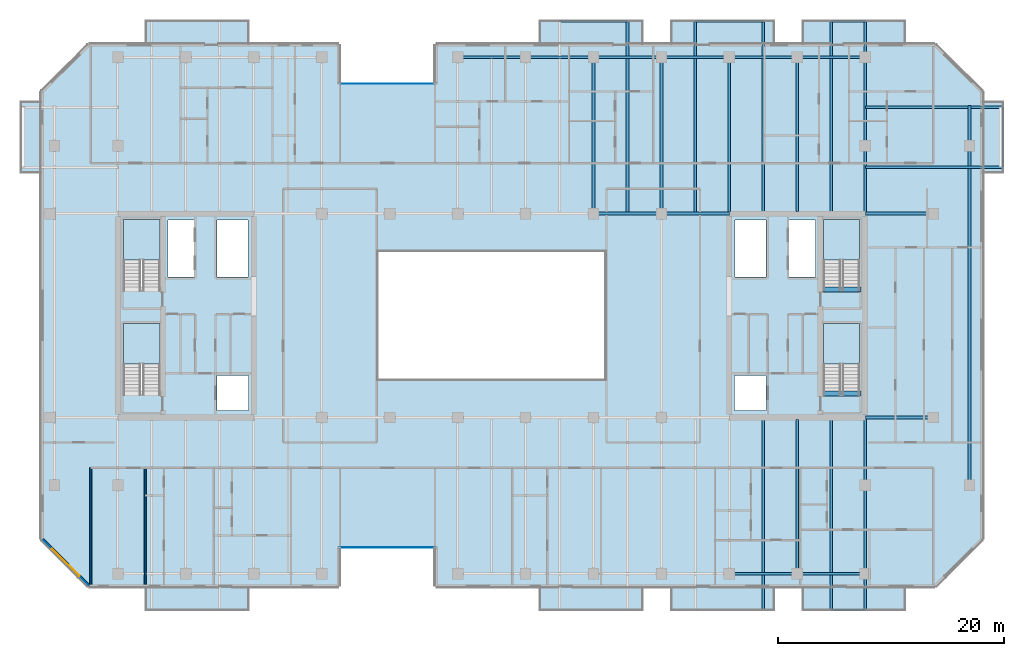
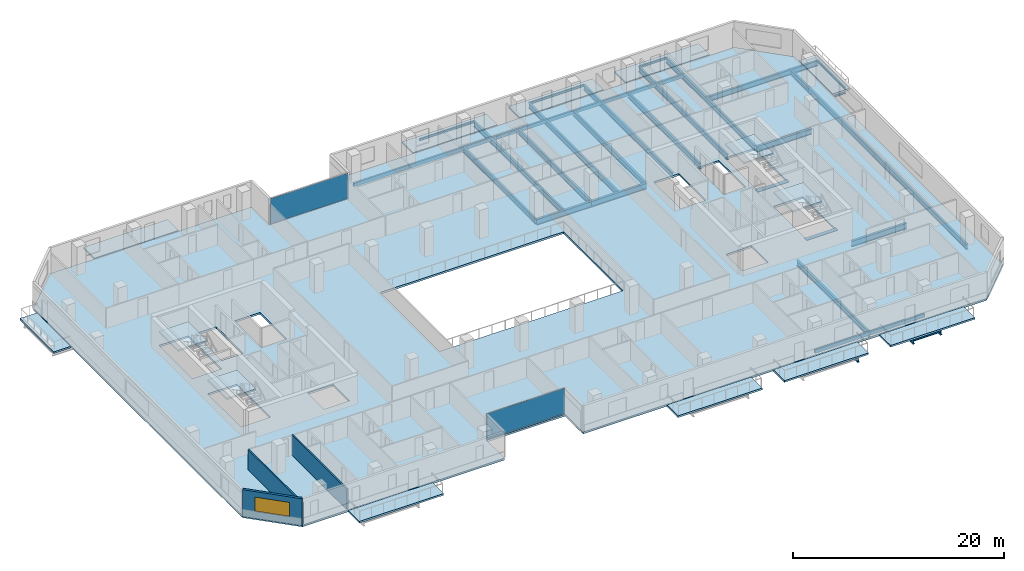
# One storey, part 9 of 23: 36 beams, 15 slabs, 3 walls, 2 plates, 1 window, 1 opening, 6 elements without a shape of their own.
"""IFC4 building model written with IfcOpenShell, lengths in metres."""

import ifcopenshell
import ifcopenshell.guid

model = None  # the IFC model being written
_history = None  # IfcOwnerHistory: only IFC2X3 demands one
_inside = {}  # id of a spatial element -> (the spatial element, [elements in it])
_under = {}  # id of a project, library or spatial element -> (it, [spatial elements below it])
_declared = {}  # id of a project -> (the project, [libraries it declares])
_typed = {}  # id of a type object -> (the type object, [elements of that type])
_made_of = {}  # id of a material, layer set ... -> (it, [elements and type objects made of it])


def new_model(schema):
    """Start an empty IFC model of exactly this schema.

    Asked for "IFC4X3", IfcOpenShell would pick the latest addendum, in which some entities
    have other attributes; the version numbers below select the first issue.
    IFC2X3 requires an IfcOwnerHistory on every rooted entity: one is made here for all.
    """
    global model, _history
    if schema == "IFC4X3":
        model = ifcopenshell.file(schema_version=(4, 3, 0, 0))
    else:
        model = ifcopenshell.file(schema=schema)
    _inside.clear()
    _under.clear()
    _declared.clear()
    _typed.clear()
    _made_of.clear()
    _history = None
    if model.schema == "IFC2X3":
        org = make("IfcOrganization", Name="unknown")
        user = make(
            "IfcPersonAndOrganization",
            ThePerson=make("IfcPerson", FamilyName="unknown"),
            TheOrganization=org,
        )
        app = make(
            "IfcApplication",
            ApplicationDeveloper=org,
            Version="unknown",
            ApplicationFullName="unknown",
            ApplicationIdentifier="unknown",
        )
        _history = make(
            "IfcOwnerHistory",
            OwningUser=user,
            OwningApplication=app,
            ChangeAction="ADDED",
            CreationDate=0,
        )
    return model


def make(cls, **values):
    """One entity of the class cls with the attributes given. An attribute that is None is left unset."""
    return model.create_entity(
        cls, **{name: value for name, value in values.items() if value is not None}
    )


def rooted(cls, **values):
    """An entity with a GlobalId (a new one), such as an element, a storey or a relation."""
    return make(cls, GlobalId=ifcopenshell.guid.new(), OwnerHistory=_history, **values)


def si_unit(unit_type, name, prefix=None):
    """IfcSIUnit, for example si_unit("LENGTHUNIT", "METRE", prefix="MILLI")."""
    return make("IfcSIUnit", UnitType=unit_type, Prefix=prefix, Name=name)


def assignment(units):
    """IfcUnitAssignment: the units of a project."""
    return None if units is None else make("IfcUnitAssignment", Units=units)


def point(xyz):
    """IfcCartesianPoint."""
    return None if xyz is None else make("IfcCartesianPoint", Coordinates=xyz)


def direction(xyz):
    """IfcDirection."""
    return None if xyz is None else make("IfcDirection", DirectionRatios=xyz)


def frame(location, z_axis=None, x_axis=None):
    """IfcAxis2Placement3D, a coordinate frame: its origin and axes. An axis left out is left unset."""
    return make(
        "IfcAxis2Placement3D",
        Location=point(location),
        Axis=direction(z_axis),
        RefDirection=direction(x_axis),
    )


def frame_2d(location, x_axis=None):
    """IfcAxis2Placement2D, a coordinate frame in the plane: its origin and x axis."""
    return make(
        "IfcAxis2Placement2D", Location=point(location), RefDirection=direction(x_axis)
    )


def origin():
    """The frame at (0, 0, 0) with its axes left unset."""
    return frame((0.0, 0.0, 0.0))


def origin_2d():
    """The frame at (0, 0) in the plane with its x axis left unset."""
    return frame_2d((0.0, 0.0))


def place(relative_to, where):
    """IfcLocalPlacement: puts the frame where relative to a parent placement (None: the world)."""
    return make(
        "IfcLocalPlacement", PlacementRelTo=relative_to, RelativePlacement=where
    )


def context(
    kind, dimensions, precision=None, world=None, true_north=None, identifier=None
):
    """IfcGeometricRepresentationContext, for example the 3D "Model" context."""
    return make(
        "IfcGeometricRepresentationContext",
        ContextIdentifier=identifier,
        ContextType=kind,
        CoordinateSpaceDimension=dimensions,
        Precision=precision,
        WorldCoordinateSystem=world,
        TrueNorth=true_north,
    )


def subcontext(parent, identifier, kind, view, scale=None):
    """IfcGeometricRepresentationSubContext, for example "Body" below "Model"."""
    return make(
        "IfcGeometricRepresentationSubContext",
        ContextIdentifier=identifier,
        ContextType=kind,
        ParentContext=parent,
        TargetScale=scale,
        TargetView=view,
    )


def project(units=None, contexts=None):
    """IfcProject with its units and contexts."""
    return rooted(
        "IfcProject",
        Name="project",
        RepresentationContexts=contexts,
        UnitsInContext=assignment(units),
    )


def spatial(cls, under=None, at=None, **own):
    """A site, building, storey or space (cls), placed at a placement, below another one or the project."""
    s = rooted(cls, ObjectPlacement=at, **own)
    if under is not None:
        _under.setdefault(under.id(), (under, []))[1].append(s)
    return s


def polyline(points):
    """IfcPolyline through the points."""
    return make("IfcPolyline", Points=[point(p) for p in points])


def profile(cls, at=None, kind="AREA", **sizes):
    """A parametric profile (cls). Its sizes go by their IFC names, for example OverallWidth=200.0."""
    return make(cls, ProfileType=kind, Position=at, **sizes)


def rectangle(**sizes):
    """IfcRectangleProfileDef."""
    return profile("IfcRectangleProfileDef", **sizes)


def hollow_rectangle(**sizes):
    """IfcRectangleHollowProfileDef."""
    return profile("IfcRectangleHollowProfileDef", **sizes)


def i_section(**sizes):
    """IfcIShapeProfileDef."""
    return profile("IfcIShapeProfileDef", **sizes)


def outline(outer, holes=None, kind="AREA"):
    """IfcArbitraryClosedProfileDef: a profile drawn as a closed curve; with holes, ...WithVoids."""
    if holes is None:
        return make("IfcArbitraryClosedProfileDef", ProfileType=kind, OuterCurve=outer)
    return make(
        "IfcArbitraryProfileDefWithVoids",
        ProfileType=kind,
        OuterCurve=outer,
        InnerCurves=holes,
    )


def extrude(swept, where, along, depth):
    """IfcExtrudedAreaSolid: the profile swept, set in the frame where, extruded along a direction by depth."""
    return make(
        "IfcExtrudedAreaSolid",
        SweptArea=swept,
        Position=where,
        ExtrudedDirection=direction(along),
        Depth=depth,
    )


def shape(context_of_items, identifier, shape_type, items):
    """IfcShapeRepresentation: the items that make up one representation, for example the "Body"."""
    return make(
        "IfcShapeRepresentation",
        ContextOfItems=context_of_items,
        RepresentationIdentifier=identifier,
        RepresentationType=shape_type,
        Items=items,
    )


def material(Name=None, Category=None):
    """IfcMaterial."""
    return make("IfcMaterial", Name=Name, Category=Category)


def layer(
    of_material, thickness, ventilated=None, Name=None, Category=None, Priority=None
):
    """IfcMaterialLayer: one layer of a wall or slab, of a material (None: an air gap)."""
    return make(
        "IfcMaterialLayer",
        Material=of_material,
        LayerThickness=thickness,
        IsVentilated=ventilated,
        Name=Name,
        Category=Category,
        Priority=Priority,
    )


def layer_set(layers, Name=None):
    """IfcMaterialLayerSet."""
    return make("IfcMaterialLayerSet", MaterialLayers=layers, LayerSetName=Name)


def material_profile(
    of_material, cross_section, Name=None, Category=None, Priority=None
):
    """IfcMaterialProfile: a cross section and its material."""
    return make(
        "IfcMaterialProfile",
        Name=Name,
        Material=of_material,
        Profile=cross_section,
        Priority=Priority,
        Category=Category,
    )


def profile_set(profiles, Name=None, composite=None):
    """IfcMaterialProfileSet."""
    return make(
        "IfcMaterialProfileSet",
        Name=Name,
        MaterialProfiles=profiles,
        CompositeProfile=composite,
    )


def made_of(thing, what):
    """Note that an element or type object is made of a material, layer set ...; save() writes the relation."""
    if what is not None:
        _made_of.setdefault(what.id(), (what, []))[1].append(thing)
    return thing


def type_object(cls, material=None, **own):
    """A type object (cls), such as IfcWallType, which elements share."""
    return made_of(rooted(cls, **own), material)


def element(
    cls,
    number,
    at=None,
    inside=None,
    cuts=None,
    type_object=None,
    material=None,
    context=None,
    identifier="Body",
    shape_type=None,
    held_by="IfcProductDefinitionShape",
    body=None,
    shapes=None,
    **own,
):
    """One element of the class cls, such as IfcWall. Its Tag is "e" and its number.

    at: its placement. inside: the storey or other place that contains it. cuts: it is an
    opening in that element (IfcRelVoidsElement). A single representation is given by context,
    identifier, shape_type and body (its items); several are given by shapes. held_by: the class
    of the entity that holds the representations. save() writes the other relations.
    """
    e = rooted(cls, Tag="e%d" % number, ObjectPlacement=at, **own)
    if body is not None:
        shapes = [shape(context, identifier, shape_type, body)]
    if shapes is not None:
        e.Representation = make(held_by, Representations=shapes)
    if inside is not None:
        _inside.setdefault(inside.id(), (inside, []))[1].append(e)
    if cuts is not None:
        rooted(
            "IfcRelVoidsElement", RelatingBuildingElement=cuts, RelatedOpeningElement=e
        )
    if type_object is not None:
        _typed.setdefault(type_object.id(), (type_object, []))[1].append(e)
    return made_of(e, material)


def fill(opening, filler):
    """IfcRelFillsElement: the door or window that sits in an opening."""
    return rooted(
        "IfcRelFillsElement",
        RelatingOpeningElement=opening,
        RelatedBuildingElement=filler,
    )


def aggregate(whole, parts):
    """IfcRelAggregates: a whole, such as a stair, and the parts it consists of."""
    return rooted("IfcRelAggregates", RelatingObject=whole, RelatedObjects=parts)


def save(model, path):
    """Write the relations noted so far, then the file.

    IfcRelAggregates (storeys below a building ...), IfcRelContainedInSpatialStructure (elements
    in a storey), IfcRelDefinesByType, IfcRelAssociatesMaterial and IfcRelDeclares: one each for
    every whole, place, type object, material and project.
    """
    for whole, parts in _under.values():
        aggregate(whole, parts)
    for where, things in _inside.values():
        rooted(
            "IfcRelContainedInSpatialStructure",
            RelatedElements=things,
            RelatingStructure=where,
        )
    for kind, things in _typed.values():
        rooted("IfcRelDefinesByType", RelatedObjects=things, RelatingType=kind)
    for what, things in _made_of.values():
        rooted("IfcRelAssociatesMaterial", RelatedObjects=things, RelatingMaterial=what)
    for by, libraries in _declared.values():
        rooted("IfcRelDeclares", RelatingContext=by, RelatedDefinitions=libraries)
    model.write(path)


model = new_model("IFC4")

# Units and contexts
model_context = context("Model", 3, precision=1e-05, world=origin(), true_north=direction((0.0, 1.0)))
body_context = subcontext(model_context, "Body", "Model", "MODEL_VIEW")
ifc_project = project(units=[si_unit("LENGTHUNIT", "METRE"), si_unit("AREAUNIT", "SQUARE_METRE"), si_unit("VOLUMEUNIT", "CUBIC_METRE"), si_unit("PLANEANGLEUNIT", "RADIAN"), si_unit("MASSUNIT", "GRAM", prefix="KILO")], contexts=[model_context])

# Site, building, storey
site_placement = place(None, origin())
site = spatial("IfcSite", under=ifc_project, at=site_placement, CompositionType="ELEMENT")
building_placement = place(site_placement, origin())
building = spatial("IfcBuilding", under=site, at=building_placement, Name="Tanjung Sevakor Pilgrim Tower", CompositionType="ELEMENT")
storey_placement = place(building_placement, frame((0.0, 0.0, 85.469970703125)))
storey = spatial("IfcBuildingStorey", under=building, at=storey_placement, Name="L23", CompositionType="ELEMENT", Elevation=85.469970703125)

# Beams
ifc_material_1 = material(Name="Steel S355J2", Category="steel")
ifc_material_profile_1 = material_profile(ifc_material_1, i_section(OverallWidth=0.25439453125, OverallDepth=0.6875, WebThickness=0.01318359375, FlangeThickness=0.02099609375, FilletRadius=0.01513671875, at=origin_2d()))
ifc_profile_set_1 = profile_set([ifc_material_profile_1], Name="Steel S355J2")
beam_type_1 = type_object("IfcBeamType", Name="BM-B-G2-UB_686x254x152", PredefinedType="BEAM", material=ifc_profile_set_1)
for number, where, z_axis, x_axis, name in (
    (1, (90.0, 24.60009765625, -0.563720703125), (1.0, 0.0, 0.0), (0.0, 1.0, 0.0), "L23 Primary Floor Girder MAIN Y246-09"),
    (2, (66.0, 42.60009765625, -0.563720703125), (1.0, 0.0, 0.0), (0.0, 1.0, 0.0), "L23 Primary Floor Girder MAIN Y426-07"),
    (3, (72.0, 42.60009765625, -0.563720703125), (1.0, 0.0, 0.0), (0.0, 1.0, 0.0), "L23 Primary Floor Girder MAIN Y426-08"),
    (4, (90.0, 42.60009765625, -0.563720703125), (1.0, 0.0, 0.0), (0.0, 1.0, 0.0), "L23 Primary Floor Girder MAIN Y426-09"),
):
    element("IfcBeam", number, at=place(storey_placement, frame(where, z_axis=z_axis, x_axis=x_axis)), inside=storey, type_object=beam_type_1, Name=name, PredefinedType="BEAM", context=body_context, shape_type="SweptSolid", body=[
        extrude(i_section(OverallWidth=0.25439453125, OverallDepth=0.6875, WebThickness=0.01318359375, FlangeThickness=0.02099609375, FilletRadius=0.01513671875, at=origin_2d()), origin(), (0.0, 0.0, 1.0), 6.0),
    ])
ifc_material_2 = material(Name="Steel S355J2", Category="steel")
ifc_material_profile_2 = material_profile(ifc_material_2, i_section(OverallWidth=0.230224609375, OverallDepth=0.6171875, WebThickness=0.01318359375, FlangeThickness=0.022216796875, FilletRadius=0.0126953125, at=origin_2d()))
ifc_profile_set_2 = profile_set([ifc_material_profile_2], Name="Steel S355J2")
beam_type_2 = type_object("IfcBeamType", Name="BM-B-G3-UB_610x229x140", PredefinedType="BEAM", material=ifc_profile_set_2)
for number, where, z_axis, x_axis, name in (
    (5, (66.0, 42.60009765625, -0.528564453125), (0.0, 1.0, 0.0), (-1.0, 0.0, 0.0), "L23 MAIN Girder 019"),
    (6, (72.0, 42.60009765625, -0.528564453125), (0.0, 1.0, 0.0), (-1.0, 0.0, 0.0), "L23 MAIN Girder 022"),
):
    element("IfcBeam", number, at=place(storey_placement, frame(where, z_axis=z_axis, x_axis=x_axis)), inside=storey, type_object=beam_type_2, Name=name, PredefinedType="BEAM", context=body_context, shape_type="SweptSolid", body=[
        extrude(i_section(OverallWidth=0.230224609375, OverallDepth=0.6171875, WebThickness=0.01318359375, FlangeThickness=0.022216796875, FilletRadius=0.0126953125, at=origin_2d()), origin(), (0.0, 0.0, 1.0), 13.7998046875),
    ])
for number, where, z_axis, x_axis, name in (
    (7, (78.0, 42.727294921875, -0.528564453125), (0.0, 1.0, 0.0), (-1.0, 0.0, 0.0), "L23 MAIN Girder 024"),
    (8, (84.0, 10.800048828125, -0.528564453125), (0.0, 1.0, 0.0), (-1.0, 0.0, 0.0), "L23 MAIN Girder 025"),
    (9, (84.0, 42.727294921875, -0.528564453125), (0.0, 1.0, 0.0), (-1.0, 0.0, 0.0), "L23 MAIN Girder 026"),
):
    element("IfcBeam", number, at=place(storey_placement, frame(where, z_axis=z_axis, x_axis=x_axis)), inside=storey, type_object=beam_type_2, Name=name, PredefinedType="BEAM", context=body_context, shape_type="SweptSolid", body=[
        extrude(i_section(OverallWidth=0.230224609375, OverallDepth=0.6171875, WebThickness=0.01318359375, FlangeThickness=0.022216796875, FilletRadius=0.0126953125, at=origin_2d()), origin(), (0.0, 0.0, 1.0), 13.672607421875),
    ])
beam_1_placement = place(storey_placement, frame((90.0, 24.47265625, -0.528564453125), z_axis=(0.0, -1.0, 0.0), x_axis=(1.0, 0.0, 0.0)))
element("IfcBeam", 10, at=beam_1_placement, inside=storey, type_object=beam_type_2, Name="L23 Balcony Cantilever Beam MAIN-S4-2", PredefinedType="BEAM", context=body_context, shape_type="SweptSolid", body=[
    extrude(i_section(OverallWidth=0.230224609375, OverallDepth=0.6171875, WebThickness=0.01318359375, FlangeThickness=0.022216796875, FilletRadius=0.0126953125, at=origin_2d()), origin(), (0.0, 0.0, 1.0), 16.8525390625),
])
beam_2_placement = place(storey_placement, frame((90.0, 42.727294921875, -0.528564453125), z_axis=(0.0, 1.0, 0.0), x_axis=(-1.0, 0.0, 0.0)))
element("IfcBeam", 11, at=beam_2_placement, inside=storey, type_object=beam_type_2, Name="L23 Balcony Cantilever Beam MAIN-N4-2", PredefinedType="BEAM", context=body_context, shape_type="SweptSolid", body=[
    extrude(i_section(OverallWidth=0.230224609375, OverallDepth=0.6171875, WebThickness=0.01318359375, FlangeThickness=0.022216796875, FilletRadius=0.0126953125, at=origin_2d()), origin(), (0.0, 0.0, 1.0), 16.852783203125),
])
ifc_material_3 = material(Name="Steel S355J2", Category="steel")
ifc_material_profile_3 = material_profile(ifc_material_3, i_section(OverallWidth=0.22900390625, OverallDepth=0.6123046875, WebThickness=0.011962890625, FlangeThickness=0.01953125, FilletRadius=0.0126953125, at=origin_2d()))
ifc_profile_set_3 = profile_set([ifc_material_profile_3], Name="Steel S355J2")
beam_type_3 = type_object("IfcBeamType", Name="BM-B-G4-UB_610x229x125", PredefinedType="BEAM", material=ifc_profile_set_3)
beam_3_placement = place(storey_placement, frame((99.199951171875, 18.60009765625, -0.526123046875), z_axis=(0.0, 1.0, 0.0), x_axis=(-1.0, 0.0, 0.0)))
element("IfcBeam", 12, at=beam_3_placement, inside=storey, type_object=beam_type_3, Name="L23 Short-End Edge Girder E", PredefinedType="BEAM", context=body_context, shape_type="SweptSolid", body=[
    extrude(i_section(OverallWidth=0.22900390625, OverallDepth=0.6123046875, WebThickness=0.011962890625, FlangeThickness=0.01953125, FilletRadius=0.0126953125, at=origin_2d()), origin(), (0.0, 0.0, 1.0), 30.0),
])
beam_4_placement = place(storey_placement, frame((99.199951171875, 48.60009765625, -0.526123046875), z_axis=(0.0, 1.0, 0.0), x_axis=(-1.0, 0.0, 0.0)))
element("IfcBeam", 13, at=beam_4_placement, inside=storey, type_object=beam_type_3, Name="L23 Short-End Edge Extension N-E", PredefinedType="BEAM", context=body_context, shape_type="SweptSolid", body=[
    extrude(i_section(OverallWidth=0.22900390625, OverallDepth=0.6123046875, WebThickness=0.011962890625, FlangeThickness=0.01953125, FilletRadius=0.0126953125, at=origin_2d()), origin(), (0.0, 0.0, 1.0), 3.5498046875),
])
for number, where, z_axis, x_axis, name in (
    (14, (90.0, 46.699951171875, -0.526123046875), (1.0, 0.0, 0.0), (0.0, 1.0, 0.0), "L23 Balcony Overhanging Beam MAIN-E1-1"),
    (15, (90.0, 52.0, -0.526123046875), (1.0, 0.0, 0.0), (0.0, 1.0, 0.0), "L23 Balcony Overhanging Beam MAIN-E1-2"),
):
    element("IfcBeam", number, at=place(storey_placement, frame(where, z_axis=z_axis, x_axis=x_axis)), inside=storey, type_object=beam_type_3, Name=name, PredefinedType="BEAM", context=body_context, shape_type="SweptSolid", body=[
        extrude(i_section(OverallWidth=0.22900390625, OverallDepth=0.6123046875, WebThickness=0.011962890625, FlangeThickness=0.01953125, FilletRadius=0.0126953125, at=origin_2d()), origin(), (0.0, 0.0, 1.0), 12.1298828125),
    ])
for number, where, z_axis, x_axis, name in (
    (16, (69.0, 42.727294921875, -0.526123046875), (0.0, 1.0, 0.0), (-1.0, 0.0, 0.0), "L23 Balcony Cantilever Beam MAIN-N2-2"),
    (17, (75.0, 42.727294921875, -0.526123046875), (0.0, 1.0, 0.0), (-1.0, 0.0, 0.0), "L23 Balcony Cantilever Beam MAIN-N3-1"),
):
    element("IfcBeam", number, at=place(storey_placement, frame(where, z_axis=z_axis, x_axis=x_axis)), inside=storey, type_object=beam_type_3, Name=name, PredefinedType="BEAM", context=body_context, shape_type="SweptSolid", body=[
        extrude(i_section(OverallWidth=0.22900390625, OverallDepth=0.6123046875, WebThickness=0.011962890625, FlangeThickness=0.01953125, FilletRadius=0.0126953125, at=origin_2d()), origin(), (0.0, 0.0, 1.0), 16.852783203125),
    ])
beam_5_placement = place(storey_placement, frame((81.0, 24.47265625, -0.526123046875), z_axis=(0.0, -1.0, 0.0), x_axis=(1.0, 0.0, 0.0)))
element("IfcBeam", 18, at=beam_5_placement, inside=storey, type_object=beam_type_3, Name="L23 Balcony Cantilever Beam MAIN-S3-2", PredefinedType="BEAM", context=body_context, shape_type="SweptSolid", body=[
    extrude(i_section(OverallWidth=0.22900390625, OverallDepth=0.6123046875, WebThickness=0.011962890625, FlangeThickness=0.01953125, FilletRadius=0.0126953125, at=origin_2d()), origin(), (0.0, 0.0, 1.0), 16.8525390625),
])
beam_6_placement = place(storey_placement, frame((81.0, 42.727294921875, -0.526123046875), z_axis=(0.0, 1.0, 0.0), x_axis=(-1.0, 0.0, 0.0)))
element("IfcBeam", 19, at=beam_6_placement, inside=storey, type_object=beam_type_3, Name="L23 Balcony Cantilever Beam MAIN-N3-2", PredefinedType="BEAM", context=body_context, shape_type="SweptSolid", body=[
    extrude(i_section(OverallWidth=0.22900390625, OverallDepth=0.6123046875, WebThickness=0.011962890625, FlangeThickness=0.01953125, FilletRadius=0.0126953125, at=origin_2d()), origin(), (0.0, 0.0, 1.0), 16.852783203125),
])
beam_7_placement = place(storey_placement, frame((87.0, 24.47265625, -0.526123046875), z_axis=(0.0, -1.0, 0.0), x_axis=(1.0, 0.0, 0.0)))
element("IfcBeam", 20, at=beam_7_placement, inside=storey, type_object=beam_type_3, Name="L23 Balcony Cantilever Beam MAIN-S4-1", PredefinedType="BEAM", context=body_context, shape_type="SweptSolid", body=[
    extrude(i_section(OverallWidth=0.22900390625, OverallDepth=0.6123046875, WebThickness=0.011962890625, FlangeThickness=0.01953125, FilletRadius=0.0126953125, at=origin_2d()), origin(), (0.0, 0.0, 1.0), 16.8525390625),
])
beam_8_placement = place(storey_placement, frame((87.0, 42.727294921875, -0.526123046875), z_axis=(0.0, 1.0, 0.0), x_axis=(-1.0, 0.0, 0.0)))
element("IfcBeam", 21, at=beam_8_placement, inside=storey, type_object=beam_type_3, Name="L23 Balcony Cantilever Beam MAIN-N4-1", PredefinedType="BEAM", context=body_context, shape_type="SweptSolid", body=[
    extrude(i_section(OverallWidth=0.22900390625, OverallDepth=0.6123046875, WebThickness=0.011962890625, FlangeThickness=0.01953125, FilletRadius=0.0126953125, at=origin_2d()), origin(), (0.0, 0.0, 1.0), 16.852783203125),
])
ifc_material_4 = material(Name="Steel S355J2", Category="steel")
ifc_material_profile_4 = material_profile(ifc_material_4, i_section(OverallWidth=0.146484375, OverallDepth=0.256103515625, WebThickness=0.00634765625, FlangeThickness=0.010986328125, FilletRadius=0.007568359375, at=origin_2d()))
ifc_profile_set_4 = profile_set([ifc_material_profile_4], Name="Steel S355J2")
beam_type_4 = type_object("IfcBeamType", Name="BM-B-J6-UB_254x146x37", PredefinedType="JOIST", material=ifc_profile_set_4)
for number, where, z_axis, x_axis, name in (
    (22, (63.0, 59.580078125, -0.327880859375), (1.0, 0.0, 0.0), (0.0, 1.0, 0.0), "L23 Balcony Rim Tie MAIN-N2"),
    (23, (75.0, 59.580078125, -0.327880859375), (1.0, 0.0, 0.0), (0.0, 1.0, 0.0), "L23 Balcony Rim Tie MAIN-N3"),
):
    element("IfcBeam", number, at=place(storey_placement, frame(where, z_axis=z_axis, x_axis=x_axis)), inside=storey, type_object=beam_type_4, Name=name, PredefinedType="JOIST", context=body_context, shape_type="SweptSolid", body=[
        extrude(i_section(OverallWidth=0.146484375, OverallDepth=0.256103515625, WebThickness=0.00634765625, FlangeThickness=0.010986328125, FilletRadius=0.007568359375, at=origin_2d()), origin(), (0.0, 0.0, 1.0), 6.0),
    ])
for number, where, z_axis, x_axis, name in (
    (24, (87.0, 7.6201171875, -0.327880859375), (1.0, 0.0, 0.0), (0.0, 1.0, 0.0), "L23 Balcony Rim Tie MAIN-S4"),
    (25, (87.0, 59.580078125, -0.327880859375), (1.0, 0.0, 0.0), (0.0, 1.0, 0.0), "L23 Balcony Rim Tie MAIN-N4"),
):
    element("IfcBeam", number, at=place(storey_placement, frame(where, z_axis=z_axis, x_axis=x_axis)), inside=storey, type_object=beam_type_4, Name=name, PredefinedType="JOIST", context=body_context, shape_type="SweptSolid", body=[
        extrude(i_section(OverallWidth=0.146484375, OverallDepth=0.256103515625, WebThickness=0.00634765625, FlangeThickness=0.010986328125, FilletRadius=0.007568359375, at=origin_2d()), origin(), (0.0, 0.0, 1.0), 3.0),
    ])
beam_9_placement = place(storey_placement, frame((102.1298828125, 46.699951171875, -0.327880859375), z_axis=(0.0, 1.0, 0.0), x_axis=(-1.0, 0.0, 0.0)))
element("IfcBeam", 26, at=beam_9_placement, inside=storey, type_object=beam_type_4, Name="L23 Balcony Rim Tie MAIN-E1", PredefinedType="JOIST", context=body_context, shape_type="SweptSolid", body=[
    extrude(i_section(OverallWidth=0.146484375, OverallDepth=0.256103515625, WebThickness=0.00634765625, FlangeThickness=0.010986328125, FilletRadius=0.007568359375, at=origin_2d()), origin(), (0.0, 0.0, 1.0), 5.300048828125),
])
ifc_material_5 = material(Name="Concrete C60/75", Category="concrete")
ifc_material_profile_5 = material_profile(ifc_material_5, rectangle(XDim=0.449951171875, YDim=0.699951171875, at=origin_2d()))
ifc_profile_set_5 = profile_set([ifc_material_profile_5], Name="Concrete C60/75")
beam_type_5 = type_object("IfcBeamType", Name="BM-B-LN3-RC-BM_450x700", PredefinedType="LINTEL", material=ifc_profile_set_5)
for number, where, z_axis, x_axis, name in (
    (27, (86.199951171875, 26.699951171875, -0.349853515625), (1.0, 0.0, 0.0), (0.0, 1.0, 0.0), "L23 TS-E1 Stair Threshold Beam"),
    (28, (86.199951171875, 35.89990234375, -0.349853515625), (1.0, 0.0, 0.0), (0.0, 1.0, 0.0), "L23 TS-E2 Stair Threshold Beam"),
):
    element("IfcBeam", number, at=place(storey_placement, frame(where, z_axis=z_axis, x_axis=x_axis)), inside=storey, type_object=beam_type_5, Name=name, PredefinedType="LINTEL", context=body_context, shape_type="SweptSolid", body=[
        extrude(rectangle(XDim=0.449951171875, YDim=0.699951171875, at=origin_2d()), origin(), (0.0, 0.0, 1.0), 3.400146484375),
    ])
ifc_material_6 = material(Name="Steel S355J2", Category="steel")
ifc_material_profile_6 = material_profile(ifc_material_6, hollow_rectangle(XDim=0.199951171875, YDim=0.39990234375, WallThickness=0.01611328125, at=origin_2d()))
ifc_profile_set_6 = profile_set([ifc_material_profile_6], Name="Steel S355J2")
beam_type_6 = type_object("IfcBeamType", Name="BM-B-SP2-RHS_400x200x16", PredefinedType="SPANDREL", material=ifc_profile_set_6)
for number, where, z_axis, x_axis, name in (
    (29, (54.0, 56.39990234375, -0.419921875), (1.0, 0.0, 0.0), (0.0, 1.0, 0.0), "L23 Spandrel MAIN N-08"),
    (30, (60.0, 56.39990234375, -0.419921875), (1.0, 0.0, 0.0), (0.0, 1.0, 0.0), "L23 Spandrel MAIN N-10"),
    (31, (66.0, 56.39990234375, -0.419921875), (1.0, 0.0, 0.0), (0.0, 1.0, 0.0), "L23 Spandrel MAIN N-12"),
    (32, (72.0, 56.39990234375, -0.419921875), (1.0, 0.0, 0.0), (0.0, 1.0, 0.0), "L23 Spandrel MAIN N-14"),
    (33, (78.0, 10.800048828125, -0.419921875), (1.0, 0.0, 0.0), (0.0, 1.0, 0.0), "L23 Spandrel MAIN S-15"),
    (34, (78.0, 56.39990234375, -0.419921875), (1.0, 0.0, 0.0), (0.0, 1.0, 0.0), "L23 Spandrel MAIN N-16"),
    (35, (84.0, 10.800048828125, -0.419921875), (1.0, 0.0, 0.0), (0.0, 1.0, 0.0), "L23 Spandrel MAIN S-17"),
    (36, (84.0, 56.39990234375, -0.419921875), (1.0, 0.0, 0.0), (0.0, 1.0, 0.0), "L23 Spandrel MAIN N-18"),
):
    element("IfcBeam", number, at=place(storey_placement, frame(where, z_axis=z_axis, x_axis=x_axis)), inside=storey, type_object=beam_type_6, Name=name, PredefinedType="SPANDREL", context=body_context, shape_type="SweptSolid", body=[
        extrude(hollow_rectangle(XDim=0.199951171875, YDim=0.39990234375, WallThickness=0.01611328125, at=origin_2d()), origin(), (0.0, 0.0, 1.0), 6.0),
    ])

# Slabs
ifc_material_7 = material(Name="Concrete C40/50", Category="concrete")
ifc_layer_1 = layer(ifc_material_7, 0.199951171875)
ifc_layer_set_1 = layer_set([ifc_layer_1], Name="SL-BAL-200")
slab_type_1 = type_object("IfcSlabType", Name="SL-BAL-200", PredefinedType="FLOOR", material=ifc_layer_set_1)
slab_1_placement = place(storey_placement, frame((0.0, 0.0, -0.199951171875)))
element("IfcSlab", 37, at=slab_1_placement, inside=storey, type_object=slab_type_1, Name="L23 Planted Loggia Balcony MAIN-S1", PredefinedType="FLOOR", context=body_context, shape_type="SweptSolid", body=[
    extrude(outline(polyline([(26.39990234375, 7.5), (35.60009765625, 7.5), (35.60009765625, 9.60009765625), (26.39990234375, 9.60009765625), (26.39990234375, 7.5)])), origin(), (0.0, 0.0, 1.0), 0.199951171875),
])
slab_2_placement = place(storey_placement, frame((0.0, 0.0, -0.199951171875)))
element("IfcSlab", 38, at=slab_2_placement, inside=storey, type_object=slab_type_1, Name="L23 Planted Loggia Balcony MAIN-N1", PredefinedType="FLOOR", context=body_context, shape_type="SweptSolid", body=[
    extrude(outline(polyline([(26.39990234375, 57.60009765625), (35.60009765625, 57.60009765625), (35.60009765625, 59.699951171875), (26.39990234375, 59.699951171875), (26.39990234375, 57.60009765625)])), origin(), (0.0, 0.0, 1.0), 0.199951171875),
])
slab_3_placement = place(storey_placement, frame((0.0, 0.0, -0.199951171875)))
element("IfcSlab", 39, at=slab_3_placement, inside=storey, type_object=slab_type_1, Name="L23 Planted Loggia Balcony MAIN-S2", PredefinedType="FLOOR", context=body_context, shape_type="SweptSolid", body=[
    extrude(outline(polyline([(61.199951171875, 7.5), (70.39990234375, 7.5), (70.39990234375, 9.60009765625), (61.199951171875, 9.60009765625), (61.199951171875, 7.5)])), origin(), (0.0, 0.0, 1.0), 0.199951171875),
])
slab_4_placement = place(storey_placement, frame((0.0, 0.0, -0.199951171875)))
element("IfcSlab", 40, at=slab_4_placement, inside=storey, type_object=slab_type_1, Name="L23 Planted Loggia Balcony MAIN-N2", PredefinedType="FLOOR", context=body_context, shape_type="SweptSolid", body=[
    extrude(outline(polyline([(61.199951171875, 57.60009765625), (70.39990234375, 57.60009765625), (70.39990234375, 59.699951171875), (61.199951171875, 59.699951171875), (61.199951171875, 57.60009765625)])), origin(), (0.0, 0.0, 1.0), 0.199951171875),
])
slab_5_placement = place(storey_placement, frame((0.0, 0.0, -0.199951171875)))
element("IfcSlab", 41, at=slab_5_placement, inside=storey, type_object=slab_type_1, Name="L23 Planted Loggia Balcony MAIN-S3", PredefinedType="FLOOR", context=body_context, shape_type="SweptSolid", body=[
    extrude(outline(polyline([(72.800048828125, 7.5), (82.0, 7.5), (82.0, 9.60009765625), (72.800048828125, 9.60009765625), (72.800048828125, 7.5)])), origin(), (0.0, 0.0, 1.0), 0.199951171875),
])
slab_6_placement = place(storey_placement, frame((0.0, 0.0, -0.199951171875)))
element("IfcSlab", 42, at=slab_6_placement, inside=storey, type_object=slab_type_1, Name="L23 Planted Loggia Balcony MAIN-N3", PredefinedType="FLOOR", context=body_context, shape_type="SweptSolid", body=[
    extrude(outline(polyline([(72.800048828125, 57.60009765625), (82.0, 57.60009765625), (82.0, 59.699951171875), (72.800048828125, 59.699951171875), (72.800048828125, 57.60009765625)])), origin(), (0.0, 0.0, 1.0), 0.199951171875),
])
slab_7_placement = place(storey_placement, frame((0.0, 0.0, -0.199951171875)))
element("IfcSlab", 43, at=slab_7_placement, inside=storey, type_object=slab_type_1, Name="L23 Planted Loggia Balcony MAIN-S4", PredefinedType="FLOOR", context=body_context, shape_type="SweptSolid", body=[
    extrude(outline(polyline([(84.39990234375, 7.5), (93.60009765625, 7.5), (93.60009765625, 9.60009765625), (84.39990234375, 9.60009765625), (84.39990234375, 7.5)])), origin(), (0.0, 0.0, 1.0), 0.199951171875),
])
slab_8_placement = place(storey_placement, frame((0.0, 0.0, -0.199951171875)))
element("IfcSlab", 44, at=slab_8_placement, inside=storey, type_object=slab_type_1, Name="L23 Planted Loggia Balcony MAIN-N4", PredefinedType="FLOOR", context=body_context, shape_type="SweptSolid", body=[
    extrude(outline(polyline([(84.39990234375, 57.60009765625), (93.60009765625, 57.60009765625), (93.60009765625, 59.699951171875), (84.39990234375, 59.699951171875), (84.39990234375, 57.60009765625)])), origin(), (0.0, 0.0, 1.0), 0.199951171875),
])
slab_9_placement = place(storey_placement, frame((0.0, 0.0, -0.199951171875)))
element("IfcSlab", 45, at=slab_9_placement, inside=storey, type_object=slab_type_1, Name="L23 Planted Loggia Balcony MAIN-W1", PredefinedType="FLOOR", context=body_context, shape_type="SweptSolid", body=[
    extrude(outline(polyline([(15.35009765625, 46.14990234375), (17.199951171875, 46.14990234375), (17.199951171875, 52.550048828125), (15.35009765625, 52.550048828125), (15.35009765625, 46.14990234375)])), origin(), (0.0, 0.0, 1.0), 0.199951171875),
])
slab_10_placement = place(storey_placement, frame((0.0, 0.0, -0.199951171875)))
element("IfcSlab", 46, at=slab_10_placement, inside=storey, type_object=slab_type_1, Name="L23 Planted Loggia Balcony MAIN-E1", PredefinedType="FLOOR", context=body_context, shape_type="SweptSolid", body=[
    extrude(outline(polyline([(100.39990234375, 46.14990234375), (102.25, 46.14990234375), (102.25, 52.550048828125), (100.39990234375, 52.550048828125), (100.39990234375, 46.14990234375)])), origin(), (0.0, 0.0, 1.0), 0.199951171875),
])

# Stair, slab
ifc_material_8 = material(Name="Concrete C40/50", Category="concrete")
stair_type = type_object("IfcStairType", Name="STAIR-ST-CR150", PredefinedType="HALF_TURN_STAIR", material=ifc_material_8)
stair_1_placement = place(storey_placement, origin())
stair_1 = element("IfcStair", 47, at=stair_1_placement, inside=storey, type_object=stair_type, Name="L23 West Core Exit Stair 1", PredefinedType="HALF_TURN_STAIR")
ifc_material_9 = material(Name="Concrete C40/50", Category="concrete")
ifc_layer_2 = layer(ifc_material_9, 0.199951171875)
ifc_layer_set_2 = layer_set([ifc_layer_2], Name="SL-LAND-200")
slab_type_2 = type_object("IfcSlabType", Name="SL-LAND-200", PredefinedType="LANDING", material=ifc_layer_set_2)
slab_11_placement = place(storey_placement, frame((0.0, 0.0, 1.449951171875)))
slab_11 = element("IfcSlab", 48, at=slab_11_placement, type_object=slab_type_2, Name="TS-W1 landing 1", PredefinedType="LANDING", context=body_context, shape_type="SweptSolid", body=[
    extrude(outline(polyline([(27.699951171875, 29.300048828125), (27.699951171875, 32.89990234375), (24.5, 32.89990234375), (24.5, 29.300048828125), (27.699951171875, 29.300048828125)])), origin(), (0.0, 0.0, 1.0), 0.2001953125),
])
aggregate(stair_1, [slab_11])

stair_2_placement = place(storey_placement, origin())
stair_2 = element("IfcStair", 49, at=stair_2_placement, inside=storey, type_object=stair_type, Name="L23 West Core Exit Stair 2", PredefinedType="HALF_TURN_STAIR")
slab_12_placement = place(storey_placement, frame((0.0, 0.0, 1.449951171875)))
slab_12 = element("IfcSlab", 50, at=slab_12_placement, type_object=slab_type_2, Name="TS-W2 landing 1", PredefinedType="LANDING", context=body_context, shape_type="SweptSolid", body=[
    extrude(outline(polyline([(27.699951171875, 38.5), (27.699951171875, 42.10009765625), (24.5, 42.10009765625), (24.5, 38.5), (27.699951171875, 38.5)])), origin(), (0.0, 0.0, 1.0), 0.2001953125),
])
aggregate(stair_2, [slab_12])

stair_3_placement = place(storey_placement, origin())
stair_3 = element("IfcStair", 51, at=stair_3_placement, inside=storey, type_object=stair_type, Name="L23 East Core Exit Stair 1", PredefinedType="HALF_TURN_STAIR")
slab_13_placement = place(storey_placement, frame((0.0, 0.0, 1.449951171875)))
slab_13 = element("IfcSlab", 52, at=slab_13_placement, type_object=slab_type_2, Name="TS-E1 landing 1", PredefinedType="LANDING", context=body_context, shape_type="SweptSolid", body=[
    extrude(outline(polyline([(89.5, 29.300048828125), (89.5, 32.89990234375), (86.300048828125, 32.89990234375), (86.300048828125, 29.300048828125), (89.5, 29.300048828125)])), origin(), (0.0, 0.0, 1.0), 0.2001953125),
])
aggregate(stair_3, [slab_13])

stair_4_placement = place(storey_placement, origin())
stair_4 = element("IfcStair", 53, at=stair_4_placement, inside=storey, type_object=stair_type, Name="L23 East Core Exit Stair 2", PredefinedType="HALF_TURN_STAIR")
slab_14_placement = place(storey_placement, frame((0.0, 0.0, 1.449951171875)))
slab_14 = element("IfcSlab", 54, at=slab_14_placement, type_object=slab_type_2, Name="TS-E2 landing 1", PredefinedType="LANDING", context=body_context, shape_type="SweptSolid", body=[
    extrude(outline(polyline([(89.5, 38.5), (89.5, 42.10009765625), (86.300048828125, 42.10009765625), (86.300048828125, 38.5), (89.5, 38.5)])), origin(), (0.0, 0.0, 1.0), 0.2001953125),
])
aggregate(stair_4, [slab_14])

# Slab
ifc_material_10 = material(Name="Concrete C40/50", Category="concrete")
ifc_layer_3 = layer(ifc_material_10, 0.219970703125)
ifc_layer_set_3 = layer_set([ifc_layer_3], Name="SL-TWR-220")
slab_type_3 = type_object("IfcSlabType", Name="SL-TWR-220", PredefinedType="FLOOR", material=ifc_layer_set_3)
slab_15_placement = place(storey_placement, frame((0.0, 0.0, -0.219970703125)))
element("IfcSlab", 55, at=slab_15_placement, inside=storey, type_object=slab_type_3, Name="L23 Floor Slab MAIN", PredefinedType="FLOOR", context=body_context, shape_type="SweptSolid", body=[
    extrude(outline(polyline([(21.447021484375, 9.679931640625), (43.52001953125, 9.679931640625), (43.52001953125, 13.080078125), (52.080078125, 13.080078125), (52.080078125, 9.679931640625), (96.153076171875, 9.679931640625), (100.320068359375, 13.846923828125), (100.320068359375, 53.35302734375), (96.153076171875, 57.52001953125), (52.080078125, 57.52001953125), (52.080078125, 54.1201171875), (43.52001953125, 54.1201171875), (43.52001953125, 57.52001953125), (21.447021484375, 57.52001953125), (17.280029296875, 53.35302734375), (17.280029296875, 13.846923828125), (21.447021484375, 9.679931640625)]), holes=[polyline([(27.699951171875, 26.60009765625), (27.699951171875, 32.89990234375), (24.5, 32.89990234375), (24.5, 26.60009765625), (27.699951171875, 26.60009765625)]), polyline([(27.699951171875, 35.800048828125), (27.699951171875, 42.10009765625), (24.5, 42.10009765625), (24.5, 35.800048828125), (27.699951171875, 35.800048828125)]), polyline([(89.5, 26.60009765625), (89.5, 32.89990234375), (86.300048828125, 32.89990234375), (86.300048828125, 26.60009765625), (89.5, 26.60009765625)]), polyline([(89.5, 35.800048828125), (89.5, 42.10009765625), (86.300048828125, 42.10009765625), (86.300048828125, 35.800048828125), (89.5, 35.800048828125)]), polyline([(32.75, 25.199951171875), (35.550048828125, 25.199951171875), (35.550048828125, 28.300048828125), (32.75, 28.300048828125), (32.75, 25.199951171875)]), polyline([(28.39990234375, 37.0), (30.75, 37.0), (30.75, 42.050048828125), (28.39990234375, 42.050048828125), (28.39990234375, 37.0)]), polyline([(32.75, 37.0), (35.5, 37.0), (35.5, 42.050048828125), (32.75, 42.050048828125), (32.75, 37.0)]), polyline([(78.449951171875, 25.199951171875), (81.25, 25.199951171875), (81.25, 28.300048828125), (78.449951171875, 28.300048828125), (78.449951171875, 25.199951171875)]), polyline([(83.25, 37.0), (85.60009765625, 37.0), (85.60009765625, 42.050048828125), (83.25, 42.050048828125), (83.25, 37.0)]), polyline([(78.5, 37.0), (81.25, 37.0), (81.25, 42.050048828125), (78.5, 42.050048828125), (78.5, 37.0)]), polyline([(47.0, 28.0), (67.0, 28.0), (67.0, 39.199951171875), (47.0, 39.199951171875), (47.0, 28.0)])]), origin(), (0.0, 0.0, 1.0), 0.219970703125),
])

# Curtain wall, plate
ifc_material_11 = material(Name="Aluminium 6063-T6 and Low-E Glass", Category="aluminium")
ifc_layer_4 = layer(ifc_material_11, 0.179931640625)
ifc_layer_set_4 = layer_set([ifc_layer_4], Name="CW-SYS-CLEFT")
curtain_wall_type = type_object("IfcCurtainWallType", Name="CW-SYS-CLEFT", PredefinedType="NOTDEFINED", material=ifc_layer_set_4)
curtain_wall_1_placement = place(storey_placement, origin())
curtain_wall_1 = element("IfcCurtainWall", 56, at=curtain_wall_1_placement, inside=storey, type_object=curtain_wall_type, Name="L23 Curtain Wall CW-CLF-L23-2", PredefinedType="NOTDEFINED")
ifc_material_12 = material(Name="Laminated Low-E Double Glazing", Category="glass")
ifc_layer_5 = layer(ifc_material_12, 0.028076171875)
ifc_layer_set_5 = layer_set([ifc_layer_5], Name="TYPE-CWP-GLZ1")
plate_type = type_object("IfcPlateType", Name="TYPE-CWP-GLZ1", PredefinedType="CURTAIN_PANEL", material=ifc_layer_set_5)
plate_1_placement = place(storey_placement, frame((47.800048828125, 13.125, 0.06494140625), z_axis=(0.0, 0.0, 1.0), x_axis=(1.0, 0.0, 0.0)))
plate_1 = element("IfcPlate", 57, at=plate_1_placement, type_object=plate_type, Name="CW-CLF panel 1.1", PredefinedType="CURTAIN_PANEL", context=body_context, shape_type="SweptSolid", body=[
    extrude(rectangle(XDim=8.5, YDim=0.028076171875, at=origin_2d()), origin(), (0.0, 0.0, 1.0), 2.949951171875),
])
aggregate(curtain_wall_1, [plate_1])

curtain_wall_2_placement = place(storey_placement, origin())
curtain_wall_2 = element("IfcCurtainWall", 58, at=curtain_wall_2_placement, inside=storey, type_object=curtain_wall_type, Name="L23 Curtain Wall CW-CLF-L23-10", PredefinedType="NOTDEFINED")
plate_2_placement = place(storey_placement, frame((47.800048828125, 54.074951171875, 0.06494140625), z_axis=(0.0, 0.0, 1.0), x_axis=(-1.0, 0.0, 0.0)))
plate_2 = element("IfcPlate", 59, at=plate_2_placement, type_object=plate_type, Name="CW-CLF panel 1.1", PredefinedType="CURTAIN_PANEL", context=body_context, shape_type="SweptSolid", body=[
    extrude(rectangle(XDim=8.5, YDim=0.028076171875, at=origin_2d()), origin(), (0.0, 0.0, 1.0), 2.949951171875),
])
aggregate(curtain_wall_2, [plate_2])

# Walls
ifc_material_13 = material(Name="Concrete C40/50", Category="concrete")
ifc_layer_6 = layer(ifc_material_13, 0.14990234375)
ifc_layer_set_6 = layer_set([ifc_layer_6], Name="WT-COMP-150")
wall_type_1 = type_object("IfcWallType", Name="WT-COMP-150", PredefinedType="SOLIDWALL", material=ifc_layer_set_6)
for number, where, z_axis, x_axis, name in (
    (60, (21.60009765625, 9.85009765625, 0.0), (0.0, 0.0, 1.0), (0.0, 1.0, 0.0), "L23 Partition IW-L23-051"),
    (61, (26.410400390625, 9.85009765625, 0.0), (0.0, 0.0, 1.0), (0.0, 1.0, 0.0), "L23 Partition IW-L23-052"),
):
    element("IfcWall", number, at=place(storey_placement, frame(where, z_axis=z_axis, x_axis=x_axis)), inside=storey, type_object=wall_type_1, Name=name, PredefinedType="SOLIDWALL", context=body_context, shape_type="SweptSolid", body=[
        extrude(rectangle(XDim=10.2998046875, YDim=0.14990234375, at=frame_2d((5.14990234375, 0.0))), origin(), (0.0, 0.0, 1.0), 2.35009765625),
    ])

# Wall, opening, window
ifc_material_14 = material(Name="Precast concrete C45/55", Category="concrete")
ifc_layer_7 = layer(ifc_material_14, 0.25)
ifc_layer_set_7 = layer_set([ifc_layer_7], Name="WT-EW-STN3")
wall_type_2 = type_object("IfcWallType", Name="WT-EW-STN3", PredefinedType="SOLIDWALL", material=ifc_layer_set_7)
wall_placement = place(storey_placement, frame((17.324951171875, 13.851806640625, 0.0), z_axis=(0.0, 0.0, 1.0), x_axis=(0.707127696864, -0.70708586489, 0.0)))
wall = element("IfcWall", 62, at=wall_placement, inside=storey, type_object=wall_type_2, Name="L23 MAIN Sculpted Corner Wall 15", PredefinedType="SOLIDWALL", context=body_context, shape_type="SweptSolid", body=[
    extrude(rectangle(XDim=5.836181640625, YDim=0.25, at=frame_2d((2.91796875, 0.0))), origin(), (0.0, 0.0, 1.0), 3.080078125),
])
opening_placement = place(wall_placement, frame((1.218017578125, 0.0, 0.780029296875)))
opening = element("IfcOpeningElement", 63, at=opening_placement, cuts=wall, Name="Opening WN-CHM-1660", PredefinedType="OPENING", context=body_context, shape_type="SweptSolid", body=[
    extrude(rectangle(XDim=3.39990234375, YDim=1.659912109375, at=frame_2d((1.699951171875, 0.830078125))), frame((0.0, 0.135009765625, 0.0), z_axis=(0.0, -1.0, 0.0), x_axis=(1.0, 0.0, 0.0)), (0.0, 0.0, 1.0), 0.27001953125),
])
ifc_material_15 = material(Name="Thermally Broken Aluminium and Low-E Glass", Category="aluminium")
window_type = type_object("IfcWindowType", Name="WTYP-WN-CHM-1660", PartitioningType="DOUBLE_PANEL_VERTICAL", PredefinedType="WINDOW", material=ifc_material_15)
window_placement = place(opening_placement, origin())
window = element("IfcWindow", 64, at=window_placement, inside=storey, type_object=window_type, Name="L23 Facade Window 01", OverallHeight=1.659912109375, OverallWidth=3.39990234375, PartitioningType="SINGLE_PANEL", PredefinedType="WINDOW", context=body_context, shape_type="SweptSolid", body=[
    extrude(rectangle(XDim=3.39990234375, YDim=1.659912109375, at=frame_2d((1.699951171875, 0.830078125))), frame((0.0, 0.030029296875, 0.0), z_axis=(0.0, -1.0, 0.0), x_axis=(1.0, 0.0, 0.0)), (0.0, 0.0, 1.0), 0.06005859375),
])
fill(opening, window)

save(model, "model.ifc")
